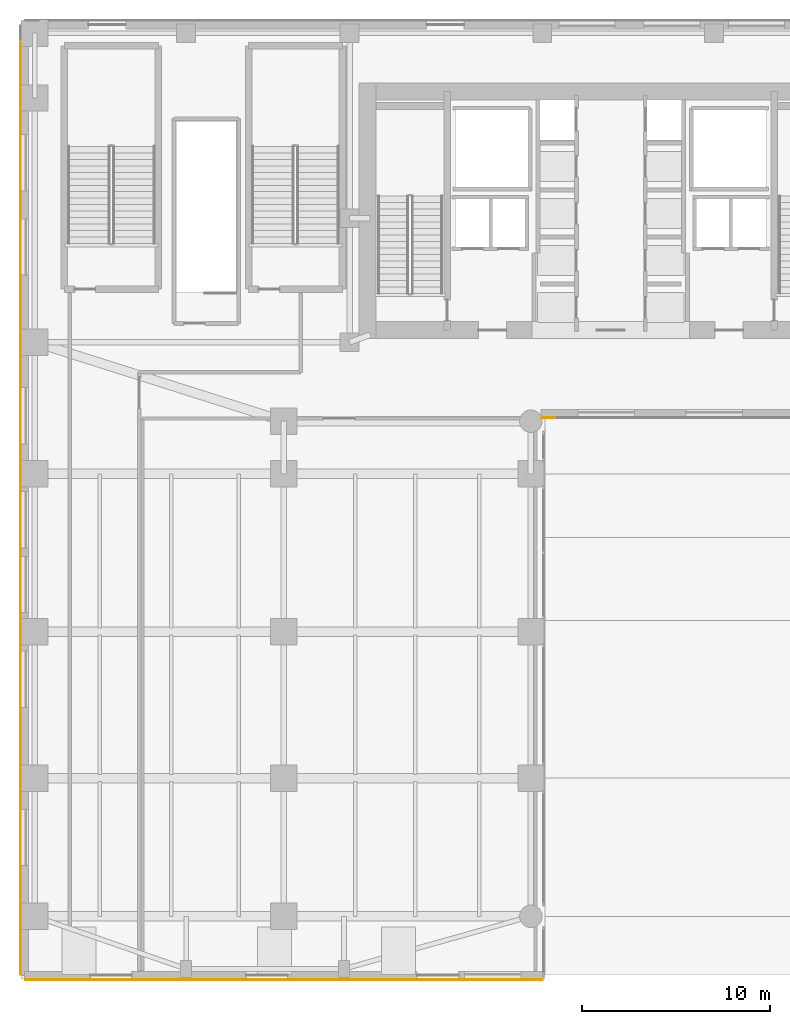
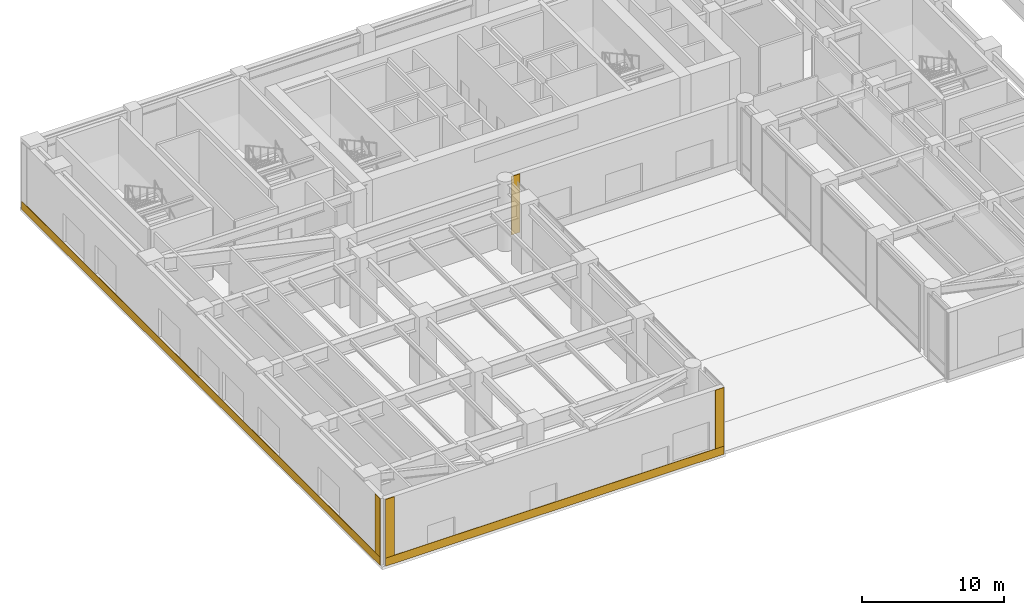
# One storey, part 19 of 28: 6 coverings.
"""IFC4 building model written with IfcOpenShell, lengths in metres."""

from ifc_helpers import new_model, si_unit, direction, frame, origin, place, context, subcontext, project, spatial, polyline, outline, extrude, material, layer, layer_set, type_object, element, save


model = new_model("IFC4")

# Units and contexts
model_context = context("Model", 3, precision=1e-05, world=origin(), true_north=direction((0.0, 1.0)))
body_context = subcontext(model_context, "Body", "Model", "MODEL_VIEW")
ifc_project = project(units=[si_unit("LENGTHUNIT", "METRE"), si_unit("AREAUNIT", "SQUARE_METRE"), si_unit("VOLUMEUNIT", "CUBIC_METRE"), si_unit("PLANEANGLEUNIT", "RADIAN"), si_unit("MASSUNIT", "GRAM", prefix="KILO")], contexts=[model_context])

# Site, building, storey
site_placement = place(None, origin())
site = spatial("IfcSite", under=ifc_project, at=site_placement, CompositionType="ELEMENT")
building_placement = place(site_placement, origin())
building = spatial("IfcBuilding", under=site, at=building_placement, Name="Tolvann Quenvar Hotel", CompositionType="ELEMENT")
storey_placement = place(building_placement, origin())
storey = spatial("IfcBuildingStorey", under=building, at=storey_placement, Name="L00", CompositionType="ELEMENT", Elevation=0.0)

# Coverings
ifc_material_1 = material(Name="Kiln-fired red architectural face brick cladding", Category="masonry")
ifc_layer_1 = layer(ifc_material_1, 0.0400390625)
ifc_layer_set_1 = layer_set([ifc_layer_1], Name="Kiln-fired red architectural face brick cladding")
covering_type_1 = type_object("IfcCoveringType", Name="COV_CLAD_BRICK_40", PredefinedType="CLADDING", material=ifc_layer_set_1)
covering_1_placement = place(storey_placement, frame((0.0, 0.0, 0.699951171875)))
element("IfcCovering", 1, at=covering_1_placement, inside=storey, type_object=covering_type_1, Name="Brick Pier Cladding (L00-E02-P1)", PredefinedType="CLADDING", context=body_context, shape_type="SweptSolid", body=[
    extrude(outline(polyline([(19.340087890625, 27.39990234375), (20.0400390625, 27.39990234375), (20.0400390625, 27.360107421875), (19.340087890625, 27.360107421875), (19.340087890625, 27.39990234375)])), origin(), (0.0, 0.0, 1.0), 5.0400390625),
])
covering_2_placement = place(storey_placement, frame((0.0, 0.0, 0.699951171875)))
element("IfcCovering", 2, at=covering_2_placement, inside=storey, type_object=covering_type_1, Name="Brick Pier Cladding (L00-E07-P2)", PredefinedType="CLADDING", context=body_context, shape_type="SweptSolid", body=[
    extrude(outline(polyline([(-8.39990234375, -1.5400390625), (-8.39990234375, -2.239990234375), (-8.43994140625, -2.239990234375), (-8.43994140625, -1.5400390625), (-8.39990234375, -1.5400390625)])), origin(), (0.0, 0.0, 1.0), 5.0400390625),
])
covering_3_placement = place(storey_placement, frame((0.0, 0.0, 0.699951171875)))
element("IfcCovering", 3, at=covering_3_placement, inside=storey, type_object=covering_type_1, Name="Brick Pier Cladding (L00-E08-P1)", PredefinedType="CLADDING", context=body_context, shape_type="SweptSolid", body=[
    extrude(outline(polyline([(-8.139892578125, -2.5), (-7.43994140625, -2.5), (-7.43994140625, -2.5400390625), (-8.139892578125, -2.5400390625), (-8.139892578125, -2.5)])), origin(), (0.0, 0.0, 1.0), 5.0400390625),
])
covering_4_placement = place(storey_placement, frame((0.0, 0.0, 0.699951171875)))
element("IfcCovering", 4, at=covering_4_placement, inside=storey, type_object=covering_type_1, Name="Brick Pier Cladding (L00-E08-P2)", PredefinedType="CLADDING", context=body_context, shape_type="SweptSolid", body=[
    extrude(outline(polyline([(18.659912109375, -2.5), (19.360107421875, -2.5), (19.360107421875, -2.5400390625), (18.659912109375, -2.5400390625), (18.659912109375, -2.5)])), origin(), (0.0, 0.0, 1.0), 5.0400390625),
])
ifc_material_2 = material(Name="Moulded buff architectural terracotta spandrel cladding", Category="masonry")
ifc_layer_2 = layer(ifc_material_2, 0.0400390625)
ifc_layer_set_2 = layer_set([ifc_layer_2], Name="Moulded buff architectural terracotta spandrel cladding")
covering_type_2 = type_object("IfcCoveringType", Name="COV_CLAD_TERRA_40", PredefinedType="CLADDING", material=ifc_layer_set_2)
covering_5_placement = place(storey_placement, origin())
element("IfcCovering", 5, at=covering_5_placement, inside=storey, type_object=covering_type_2, Name="Terracotta Spandrel Cladding (L00-E07)", PredefinedType="CLADDING", context=body_context, shape_type="SweptSolid", body=[
    extrude(outline(polyline([(-8.39990234375, 48.25), (-8.39990234375, -2.25), (-8.43994140625, -2.25), (-8.43994140625, 48.25), (-8.39990234375, 48.25)])), origin(), (0.0, 0.0, 1.0), 0.699951171875),
])
covering_6_placement = place(storey_placement, origin())
element("IfcCovering", 6, at=covering_6_placement, inside=storey, type_object=covering_type_2, Name="Terracotta Spandrel Cladding (L00-E08)", PredefinedType="CLADDING", context=body_context, shape_type="SweptSolid", body=[
    extrude(outline(polyline([(-8.14990234375, -2.5), (19.3701171875, -2.5), (19.3701171875, -2.5400390625), (-8.14990234375, -2.5400390625), (-8.14990234375, -2.5)])), origin(), (0.0, 0.0, 1.0), 0.699951171875),
])

save(model, "model.ifc")
